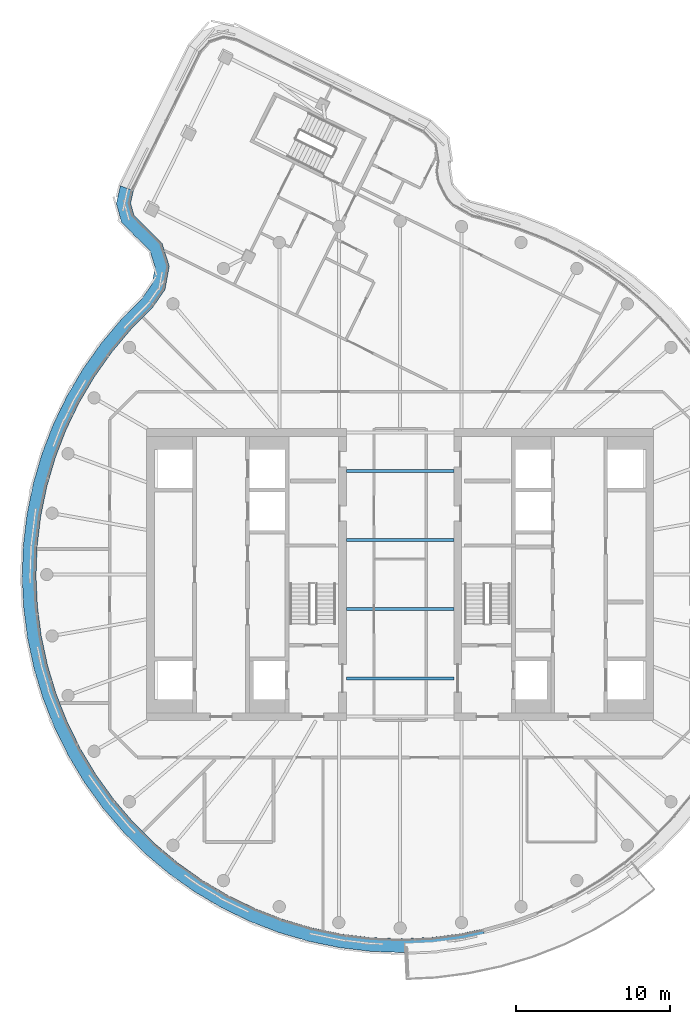
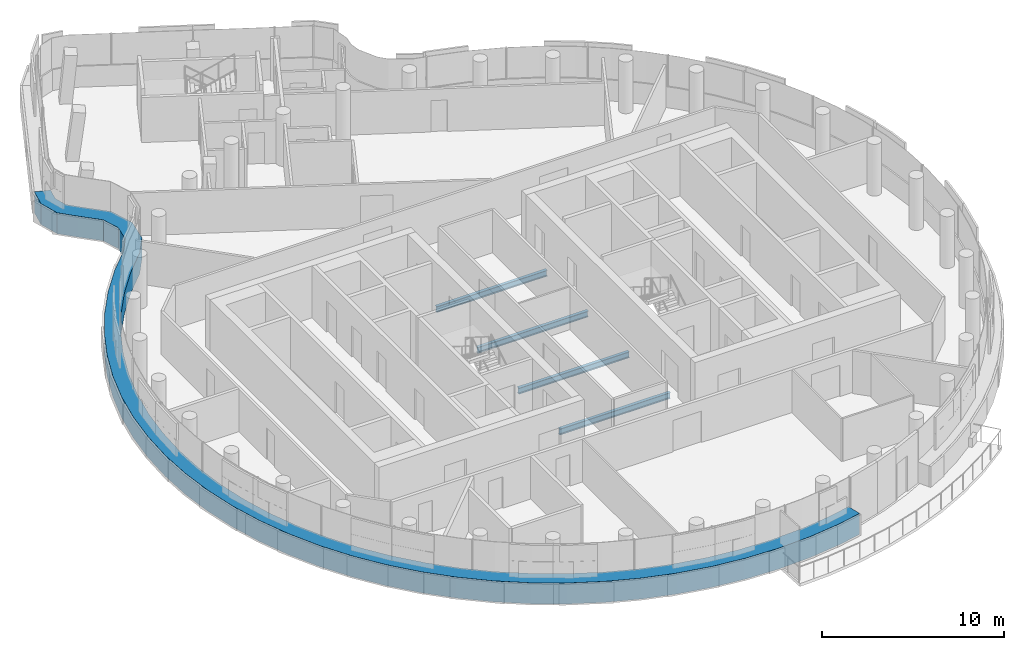
# One storey, part 5 of 21: 4 beams, 1 member, 1 element without a shape of its own.
"""IFC4 building model written with IfcOpenShell, lengths in metres."""

from ifc_helpers import new_model, si_unit, direction, frame, origin, origin_2d, place, context, subcontext, project, spatial, polyline, i_section, outline, extrude, material, layer, layer_set, material_profile, profile_set, type_object, element, aggregate, save


model = new_model("IFC4")

# Units and contexts
model_context = context("Model", 3, precision=1e-05, world=origin(), true_north=direction((0.0, 1.0)))
body_context = subcontext(model_context, "Body", "Model", "MODEL_VIEW")
ifc_project = project(units=[si_unit("LENGTHUNIT", "METRE"), si_unit("AREAUNIT", "SQUARE_METRE"), si_unit("VOLUMEUNIT", "CUBIC_METRE"), si_unit("PLANEANGLEUNIT", "RADIAN"), si_unit("MASSUNIT", "GRAM", prefix="KILO")], contexts=[model_context])

# Site, building, storey
site_placement = place(None, origin())
site = spatial("IfcSite", under=ifc_project, at=site_placement, CompositionType="ELEMENT")
building_placement = place(site_placement, origin())
building = spatial("IfcBuilding", under=site, at=building_placement, Name="Tamarind Cross Interchange Tower", CompositionType="ELEMENT")
storey_placement = place(building_placement, frame((0.0, 0.0, 264.0)))
storey = spatial("IfcBuildingStorey", under=building, at=storey_placement, Name="L67", CompositionType="ELEMENT", Elevation=264.0)

# Beams
ifc_material_1 = material(Name="Steel Q355B", Category="steel")
ifc_material_profile = material_profile(ifc_material_1, i_section(OverallWidth=0.199951171875, OverallDepth=0.39990234375, WebThickness=0.008056640625, FlangeThickness=0.012939453125, FilletRadius=0.01611328125, at=origin_2d()), Name="HN 400x200x8x13")
ifc_profile_set = profile_set([ifc_material_profile], Name="Steel Q355B")
beam_type = type_object("IfcBeamType", Name="Composite beam HN 400x200x8x13 Q355B", PredefinedType="BEAM", material=ifc_profile_set)
for number, where, z_axis, x_axis, name in (
    (1, (-3.5, -2.25, -0.340087890625), (1.0, 0.0, 0.0), (0.0, 1.0, 0.0), "Beam G-2.25"),
    (2, (-3.5, -6.75, -0.340087890625), (1.0, 0.0, 0.0), (0.0, 1.0, 0.0), "Beam G-6.75"),
    (3, (-3.5, 2.25, -0.340087890625), (1.0, 0.0, 0.0), (0.0, 1.0, 0.0), "Beam G2.25"),
    (4, (-3.5, 6.75, -0.340087890625), (1.0, 0.0, 0.0), (0.0, 1.0, 0.0), "Beam G6.75"),
):
    element("IfcBeam", number, at=place(storey_placement, frame(where, z_axis=z_axis, x_axis=x_axis)), inside=storey, type_object=beam_type, Name=name, PredefinedType="BEAM", context=body_context, shape_type="SweptSolid", body=[
        extrude(i_section(OverallWidth=0.199951171875, OverallDepth=0.39990234375, WebThickness=0.008056640625, FlangeThickness=0.012939453125, FilletRadius=0.01611328125, at=origin_2d()), origin(), (0.0, 0.0, 1.0), 7.0),
    ])

# Curtain wall, member
ifc_material_2 = material(Name="Aluminium 6063-T6", Category="aluminium")
ifc_layer = layer(ifc_material_2, 0.139892578125)
ifc_layer_set = layer_set([ifc_layer], Name="Aluminium 6063-T6")
curtain_wall_type = type_object("IfcCurtainWallType", Name="Hotel curtain wall, 4.5 m bays", PredefinedType="NOTDEFINED", material=ifc_layer_set)
curtain_wall_placement = place(storey_placement, origin())
curtain_wall = element("IfcCurtainWall", 5, at=curtain_wall_placement, inside=storey, type_object=curtain_wall_type, Name="CWS-L67-01", PredefinedType="NOTDEFINED")
ifc_material_3 = material(Name="Aluminium and insulated spandrel panel", Category="aluminium")
member_type = type_object("IfcMemberType", Name="Floor-edge blade transom", PredefinedType="USERDEFINED", material=ifc_material_3)
member_placement = place(storey_placement, origin())
member = element("IfcMember", 6, at=member_placement, type_object=member_type, Name="CWT-L67-01-0", ObjectType="TRANSOM", PredefinedType="USERDEFINED", context=body_context, shape_type="SweptSolid", body=[
    extrude(outline(polyline([(-17.358154296875, 24.996826171875), (-17.540283203125, 24.169921875), (-17.328369140625, 23.392822265625), (-16.645263671875, 22.69287109375), (-15.49462890625, 21.566650390625), (-15.024169921875, 20.072998046875), (-15.302490234375, 18.5419921875), (-16.120849609375, 17.3671875), (-17.50244140625, 15.973388671875), (-18.76171875, 14.4736328125), (-19.892822265625, 12.874755859375), (-20.88818359375, 11.188232421875), (-21.74072265625, 9.425048828125), (-22.444580078125, 7.597412109375), (-22.995361328125, 5.718017578125), (-23.38916015625, 3.799560546875), (-23.623046875, 1.855224609375), (-23.695556640625, -0.10205078125), (-23.606201171875, -2.058349609375), (-23.35546875, -4.000732421875), (-22.9453125, -5.915771484375), (-22.37841796875, -7.790283203125), (-21.65869140625, -9.61181640625), (-20.791015625, -11.367431640625), (-19.78125, -13.045654296875), (-18.636474609375, -14.634521484375), (-17.3642578125, -16.12353515625), (-15.973388671875, -17.50244140625), (-14.4736328125, -18.76171875), (-12.874755859375, -19.892822265625), (-11.188232421875, -20.88818359375), (-9.425048828125, -21.74072265625), (-7.597412109375, -22.444580078125), (-5.718017578125, -22.995361328125), (-3.799560546875, -23.38916015625), (-1.855224609375, -23.623046875), (0.10205078125, -23.695556640625), (2.058349609375, -23.606201171875), (4.000732421875, -23.35546875), (5.390380859375, -23.057861328125), (5.59521484375, -23.934326171875), (4.15283203125, -24.243408203125), (2.13671875, -24.50341796875), (0.10595703125, -24.59619140625), (-1.925537109375, -24.52099609375), (-3.944091796875, -24.2783203125), (-5.935302734375, -23.86962890625), (-7.88623046875, -23.2978515625), (-9.783203125, -22.567138671875), (-11.613525390625, -21.68212890625), (-13.3642578125, -20.64892578125), (-15.023681640625, -19.474853515625), (-16.580810546875, -18.167724609375), (-18.0244140625, -16.736572265625), (-19.344970703125, -15.19091796875), (-20.533203125, -13.54150390625), (-21.581298828125, -11.799560546875), (-22.482177734375, -9.97705078125), (-23.229248046875, -8.08642578125), (-23.817626953125, -6.140625), (-24.243408203125, -4.15283203125), (-24.50341796875, -2.13671875), (-24.59619140625, -0.10595703125), (-24.52099609375, 1.925537109375), (-24.2783203125, 3.944091796875), (-23.86962890625, 5.935302734375), (-23.2978515625, 7.88623046875), (-22.567138671875, 9.783203125), (-21.68212890625, 11.613525390625), (-20.64892578125, 13.3642578125), (-19.474853515625, 15.023681640625), (-18.167724609375, 16.58056640625), (-16.81494140625, 17.945556640625), (-16.153076171875, 18.8955078125), (-15.949462890625, 20.014892578125), (-16.28515625, 21.081298828125), (-17.2822265625, 22.056884765625), (-18.13525390625, 22.93115234375), (-18.467041015625, 24.14697265625), (-18.213623046875, 25.297119140625), (-17.358154296875, 24.996826171875)])), origin(), (0.0, 0.0, 1.0), 1.39990234375),
])
aggregate(curtain_wall, [member])

save(model, "model.ifc")
